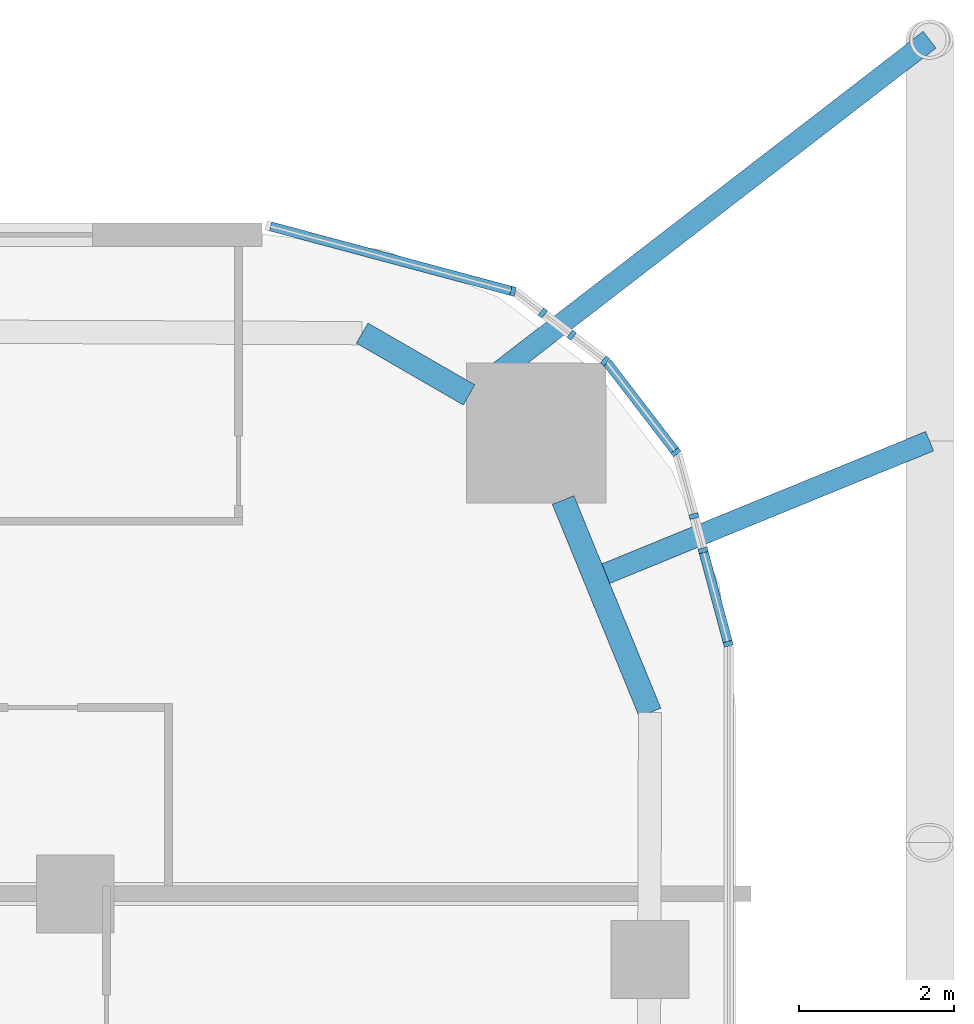
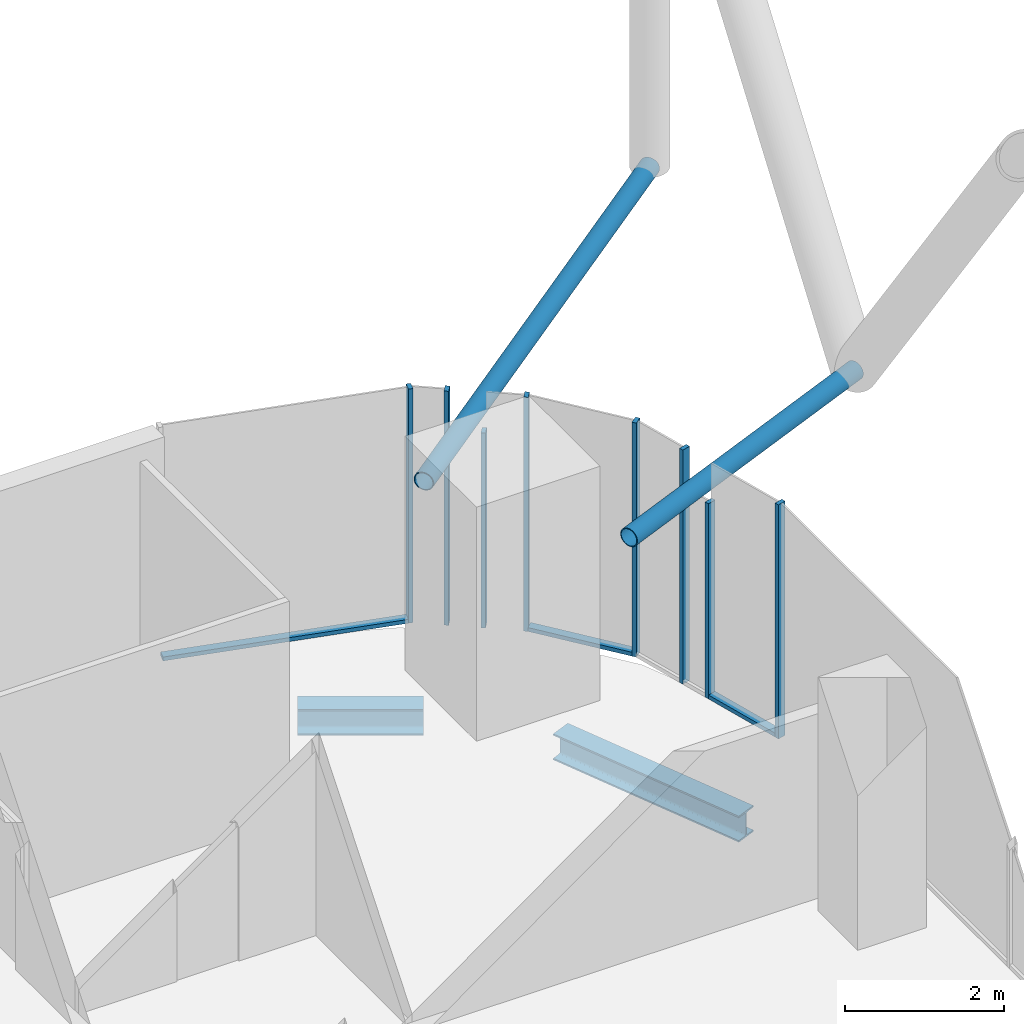
# One storey, part 14 of 38: 13 members, 2 beams, 8 elements without a shape of their own.
"""IFC4 building model written with IfcOpenShell, lengths in metres."""

from ifc_helpers import new_model, si_unit, direction, frame, origin, origin_2d, place, context, subcontext, project, spatial, rectangle, hollow_circle, i_section, extrude, material, layer, layer_set, material_profile, profile_set, type_object, element, aggregate, save


model = new_model("IFC4")

# Units and contexts
model_context = context("Model", 3, precision=1e-05, world=origin(), true_north=direction((0.0, 1.0)))
body_context = subcontext(model_context, "Body", "Model", "MODEL_VIEW")
ifc_project = project(units=[si_unit("LENGTHUNIT", "METRE"), si_unit("AREAUNIT", "SQUARE_METRE"), si_unit("VOLUMEUNIT", "CUBIC_METRE"), si_unit("PLANEANGLEUNIT", "RADIAN"), si_unit("MASSUNIT", "GRAM", prefix="KILO")], contexts=[model_context])

# Site, building, storey
site_placement = place(None, origin())
site = spatial("IfcSite", under=ifc_project, at=site_placement, CompositionType="ELEMENT")
building_placement = place(site_placement, origin())
building = spatial("IfcBuilding", under=site, at=building_placement, Name="Marenta Gate Hotel Tower", CompositionType="ELEMENT")
storey_placement = place(building_placement, frame((0.0, 0.0, 68.89990234375)))
storey = spatial("IfcBuildingStorey", under=building, at=storey_placement, Name="L15", CompositionType="ELEMENT", Elevation=68.89990234375)

# Beams
ifc_material_1 = material(Name="Steel S355", Category="steel")
ifc_material_profile_1 = material_profile(ifc_material_1, i_section(OverallWidth=0.300048828125, OverallDepth=0.39990234375, WebThickness=0.013427734375, FlangeThickness=0.02392578125, FilletRadius=0.027099609375, at=origin_2d()), Name="HEB 400")
ifc_profile_set_1 = profile_set([ifc_material_profile_1], Name="Steel S355")
beam_type = type_object("IfcBeamType", Name="Edge beam HEB 400", PredefinedType="SPANDREL", material=ifc_profile_set_1)
beam_1_placement = place(storey_placement, frame((24.69189453125, 32.42138671875, -0.4599609375), z_axis=(0.865968422476, -0.500098681536, 0.0), x_axis=(0.500098681536, 0.865968422476, 0.0)))
element("IfcBeam", 1, at=beam_1_placement, inside=storey, type_object=beam_type, Name="L15-EB-20", PredefinedType="SPANDREL", context=body_context, shape_type="SweptSolid", body=[
    extrude(i_section(OverallWidth=0.300048828125, OverallDepth=0.39990234375, WebThickness=0.013427734375, FlangeThickness=0.02392578125, FilletRadius=0.027099609375, at=origin_2d()), origin(), (0.0, 0.0, 1.0), 1.591552734375),
])
beam_2_placement = place(storey_placement, frame((27.280029296875, 30.2724609375, -0.4599609375), z_axis=(0.378565359962, -0.925574561144, 0.0), x_axis=(0.925574561144, 0.378565359962, 0.0)))
element("IfcBeam", 2, at=beam_2_placement, inside=storey, type_object=beam_type, Name="L15-EB-21", PredefinedType="SPANDREL", context=body_context, shape_type="SweptSolid", body=[
    extrude(i_section(OverallWidth=0.300048828125, OverallDepth=0.39990234375, WebThickness=0.013427734375, FlangeThickness=0.02392578125, FilletRadius=0.027099609375, at=origin_2d()), origin(), (0.0, 0.0, 1.0), 2.958251953125),
])

# Members
ifc_material_2 = material(Name="Steel S355J2W", Category="steel")
ifc_material_profile_2 = material_profile(ifc_material_2, hollow_circle(Radius=0.136474609375, WallThickness=0.012451171875, at=origin_2d()), Name="CHS 273x12.5")
ifc_profile_set_2 = profile_set([ifc_material_profile_2], Name="Steel S355J2W")
member_type_1 = type_object("IfcMemberType", Name="Floor tie CHS 273x12.5", PredefinedType="STRUT", material=ifc_profile_set_2)
member_1_placement = place(storey_placement, frame((32.0, 36.199951171875, 3.14013671875), z_axis=(-0.791777746729, -0.610809299032, 0.0), x_axis=(0.610809299032, -0.791777746729, 0.0)))
element("IfcMember", 3, at=member_1_placement, inside=storey, type_object=member_type_1, Name="L15-DR-7", PredefinedType="STRUT", context=body_context, shape_type="SweptSolid", body=[
    extrude(hollow_circle(Radius=0.136474609375, WallThickness=0.012451171875, at=origin_2d()), origin(), (0.0, 0.0, 1.0), 7.48193359375),
])
member_2_placement = place(storey_placement, frame((32.0, 31.030029296875, 3.14013671875), z_axis=(-0.925554485394, -0.378614440516, 0.0), x_axis=(0.378614440516, -0.925554485394, 0.0)))
element("IfcMember", 4, at=member_2_placement, inside=storey, type_object=member_type_1, Name="L15-DR-8", PredefinedType="STRUT", context=body_context, shape_type="SweptSolid", body=[
    extrude(hollow_circle(Radius=0.136474609375, WallThickness=0.012451171875, at=origin_2d()), origin(), (0.0, 0.0, 1.0), 4.6484375),
])

# Curtain wall, member
ifc_material_3 = material(Name="Tinted insulated glass in bronze anodised frame", Category="glass")
ifc_layer = layer(ifc_material_3, 0.1201171875)
ifc_layer_set = layer_set([ifc_layer], Name="Tinted insulated glass in bronze anodised frame")
curtain_wall_type = type_object("IfcCurtainWallType", Name="Tower unitised curtain wall CW1", PredefinedType="NOTDEFINED", material=ifc_layer_set)
curtain_wall_1_placement = place(storey_placement, origin())
curtain_wall_1 = element("IfcCurtainWall", 5, at=curtain_wall_1_placement, inside=storey, type_object=curtain_wall_type, Name="CW1 run G35", PredefinedType="NOTDEFINED")
ifc_material_4 = material(Name="Bronze anodised aluminium", Category="aluminium")
ifc_material_profile_3 = material_profile(ifc_material_4, rectangle(XDim=0.1201171875, YDim=0.06005859375, at=origin_2d()), Name="Mullion CW1 60x120 bronze anodised aluminium")
ifc_profile_set_3 = profile_set([ifc_material_profile_3], Name="Bronze anodised aluminium")
member_type_2 = type_object("IfcMemberType", Name="Mullion CW1 60x120 bronze anodised aluminium", PredefinedType="MULLION", material=ifc_profile_set_3)
member_3_placement = place(storey_placement, frame((29.40625, 28.4208984375, 0.0), z_axis=(0.0, 0.0, 1.0), x_axis=(-0.965926558196, -0.258816313572, 0.0)))
member_3 = element("IfcMember", 6, at=member_3_placement, type_object=member_type_2, Name="CW1 mullion 1", PredefinedType="MULLION", context=body_context, shape_type="SweptSolid", body=[
    extrude(rectangle(XDim=0.1201171875, YDim=0.06005859375, at=origin_2d()), origin(), (0.0, 0.0, 1.0), 3.60009765625),
])

curtain_wall_2_placement = place(storey_placement, origin())
curtain_wall_2 = element("IfcCurtainWall", 7, at=curtain_wall_2_placement, inside=storey, type_object=curtain_wall_type, Name="CW1 run G36", PredefinedType="NOTDEFINED")
member_4_placement = place(storey_placement, frame((29.083740234375, 29.62451171875, 0.0), z_axis=(0.0, 0.0, 1.0), x_axis=(-0.965921659399, -0.258834595648, 0.0)))
member_4 = element("IfcMember", 8, at=member_4_placement, type_object=member_type_2, Name="CW1 mullion 1", PredefinedType="MULLION", context=body_context, shape_type="SweptSolid", body=[
    extrude(rectangle(XDim=0.1201171875, YDim=0.06005859375, at=origin_2d()), origin(), (0.0, 0.0, 1.0), 3.00048828125),
])
aggregate(curtain_wall_2, [member_4])

curtain_wall_3_placement = place(storey_placement, origin())
curtain_wall_3 = element("IfcCurtainWall", 9, at=curtain_wall_3_placement, inside=storey, type_object=curtain_wall_type, Name="CW1 run G37", PredefinedType="NOTDEFINED")
member_5_placement = place(storey_placement, frame((28.965576171875, 30.065673828125, 0.0), z_axis=(0.0, 0.0, 1.0), x_axis=(-0.96592463299, -0.258823498514, 0.0)))
member_5 = element("IfcMember", 10, at=member_5_placement, type_object=member_type_2, Name="CW1 mullion 1", PredefinedType="MULLION", context=body_context, shape_type="SweptSolid", body=[
    extrude(rectangle(XDim=0.1201171875, YDim=0.06005859375, at=origin_2d()), origin(), (0.0, 0.0, 1.0), 3.60009765625),
])
aggregate(curtain_wall_3, [member_5])

curtain_wall_4_placement = place(storey_placement, origin())
curtain_wall_4 = element("IfcCurtainWall", 11, at=curtain_wall_4_placement, inside=storey, type_object=curtain_wall_type, Name="CW1 run G38", PredefinedType="NOTDEFINED")
member_6_placement = place(storey_placement, frame((28.733154296875, 30.888916015625, 0.0), z_axis=(0.0, 0.0, 1.0), x_axis=(-0.79333801153, -0.608781405318, 0.0)))
member_6 = element("IfcMember", 12, at=member_6_placement, type_object=member_type_2, Name="CW1 mullion 1", PredefinedType="MULLION", context=body_context, shape_type="SweptSolid", body=[
    extrude(rectangle(XDim=0.1201171875, YDim=0.06005859375, at=origin_2d()), origin(), (0.0, 0.0, 1.0), 3.60009765625),
])

curtain_wall_5_placement = place(storey_placement, origin())
curtain_wall_5 = element("IfcCurtainWall", 13, at=curtain_wall_5_placement, inside=storey, type_object=curtain_wall_type, Name="CW1 run G39", PredefinedType="NOTDEFINED")
member_7_placement = place(storey_placement, frame((27.82177734375, 32.063720703125, 0.0), z_axis=(0.0, 0.0, 1.0), x_axis=(-0.608794550401, -0.793327924254, 0.0)))
member_7 = element("IfcMember", 14, at=member_7_placement, type_object=member_type_2, Name="CW1 mullion 1", PredefinedType="MULLION", context=body_context, shape_type="SweptSolid", body=[
    extrude(rectangle(XDim=0.1201171875, YDim=0.06005859375, at=origin_2d()), origin(), (0.0, 0.0, 1.0), 3.60009765625),
])
aggregate(curtain_wall_5, [member_7])

curtain_wall_6_placement = place(storey_placement, origin())
curtain_wall_6 = element("IfcCurtainWall", 15, at=curtain_wall_6_placement, inside=storey, type_object=curtain_wall_type, Name="CW1 run G40", PredefinedType="NOTDEFINED")
member_8_placement = place(storey_placement, frame((27.390380859375, 32.394775390625, 0.0), z_axis=(0.0, 0.0, 1.0), x_axis=(-0.608771939349, -0.793345275313, 0.0)))
member_8 = element("IfcMember", 16, at=member_8_placement, type_object=member_type_2, Name="CW1 mullion 1", PredefinedType="MULLION", context=body_context, shape_type="SweptSolid", body=[
    extrude(rectangle(XDim=0.1201171875, YDim=0.06005859375, at=origin_2d()), origin(), (0.0, 0.0, 1.0), 3.00048828125),
])
aggregate(curtain_wall_6, [member_8])

curtain_wall_7_placement = place(storey_placement, origin())
curtain_wall_7 = element("IfcCurtainWall", 17, at=curtain_wall_7_placement, inside=storey, type_object=curtain_wall_type, Name="CW1 run G41", PredefinedType="NOTDEFINED")
member_9_placement = place(storey_placement, frame((27.018798828125, 32.679931640625, 0.0), z_axis=(0.0, 0.0, 1.0), x_axis=(-0.608775711402, -0.793342380821, 0.0)))
member_9 = element("IfcMember", 18, at=member_9_placement, type_object=member_type_2, Name="CW1 mullion 1", PredefinedType="MULLION", context=body_context, shape_type="SweptSolid", body=[
    extrude(rectangle(XDim=0.1201171875, YDim=0.06005859375, at=origin_2d()), origin(), (0.0, 0.0, 1.0), 3.60009765625),
])
aggregate(curtain_wall_7, [member_9])

curtain_wall_8_placement = place(storey_placement, origin())
curtain_wall_8 = element("IfcCurtainWall", 19, at=curtain_wall_8_placement, inside=storey, type_object=curtain_wall_type, Name="CW1 run G42", PredefinedType="NOTDEFINED")
member_10_placement = place(storey_placement, frame((26.63623046875, 32.958984375, 0.0), z_axis=(0.0, 0.0, 1.0), x_axis=(-0.258807310344, -0.965928970532, 0.0)))
member_10 = element("IfcMember", 20, at=member_10_placement, type_object=member_type_2, Name="CW1 mullion 1", PredefinedType="MULLION", context=body_context, shape_type="SweptSolid", body=[
    extrude(rectangle(XDim=0.1201171875, YDim=0.06005859375, at=origin_2d()), origin(), (0.0, 0.0, 1.0), 3.60009765625),
])

# Member
ifc_material_5 = material(Name="Bronze anodised aluminium", Category="aluminium")
ifc_material_profile_4 = material_profile(ifc_material_5, rectangle(XDim=0.1201171875, YDim=0.06005859375, at=origin_2d()), Name="Transom CW1 60x120 bronze anodised aluminium")
ifc_profile_set_4 = profile_set([ifc_material_profile_4], Name="Bronze anodised aluminium")
member_type_3 = type_object("IfcMemberType", Name="Transom CW1 60x120 bronze anodised aluminium", PredefinedType="USERDEFINED", material=ifc_profile_set_4)
member_11_placement = place(storey_placement, frame((29.3984375, 28.449951171875, 0.030029296875), z_axis=(-0.258777246525, 0.965937025215, 0.0), x_axis=(-0.965937025215, -0.258777246525, 0.0)))
member_11 = element("IfcMember", 21, at=member_11_placement, type_object=member_type_3, Name="CW1 transom 1.1", ObjectType="TRANSOM", PredefinedType="USERDEFINED", context=body_context, shape_type="SweptSolid", body=[
    extrude(rectangle(XDim=0.1201171875, YDim=0.06005859375, at=origin_2d()), origin(), (0.0, 0.0, 1.0), 1.185791015625),
])

aggregate(curtain_wall_1, [member_3, member_11])

member_12_placement = place(storey_placement, frame((28.71484375, 30.91259765625, 0.030029296875), z_axis=(-0.60882629199, 0.793303564963, 0.0), x_axis=(-0.793303564963, -0.60882629199, 0.0)))
member_12 = element("IfcMember", 22, at=member_12_placement, type_object=member_type_3, Name="CW1 transom 1.1", ObjectType="TRANSOM", PredefinedType="USERDEFINED", context=body_context, shape_type="SweptSolid", body=[
    extrude(rectangle(XDim=0.1201171875, YDim=0.06005859375, at=origin_2d()), origin(), (0.0, 0.0, 1.0), 1.427978515625),
])

aggregate(curtain_wall_4, [member_6, member_12])

member_13_placement = place(storey_placement, frame((26.607177734375, 32.966796875, 0.030029296875), z_axis=(-0.965933076693, 0.258791984709, 0.0), x_axis=(-0.258791984709, -0.965933076693, 0.0)))
member_13 = element("IfcMember", 23, at=member_13_placement, type_object=member_type_3, Name="CW1 transom 1.1", ObjectType="TRANSOM", PredefinedType="USERDEFINED", context=body_context, shape_type="SweptSolid", body=[
    extrude(rectangle(XDim=0.1201171875, YDim=0.06005859375, at=origin_2d()), origin(), (0.0, 0.0, 1.0), 3.201904296875),
])

aggregate(curtain_wall_8, [member_10, member_13])

save(model, "model.ifc")
